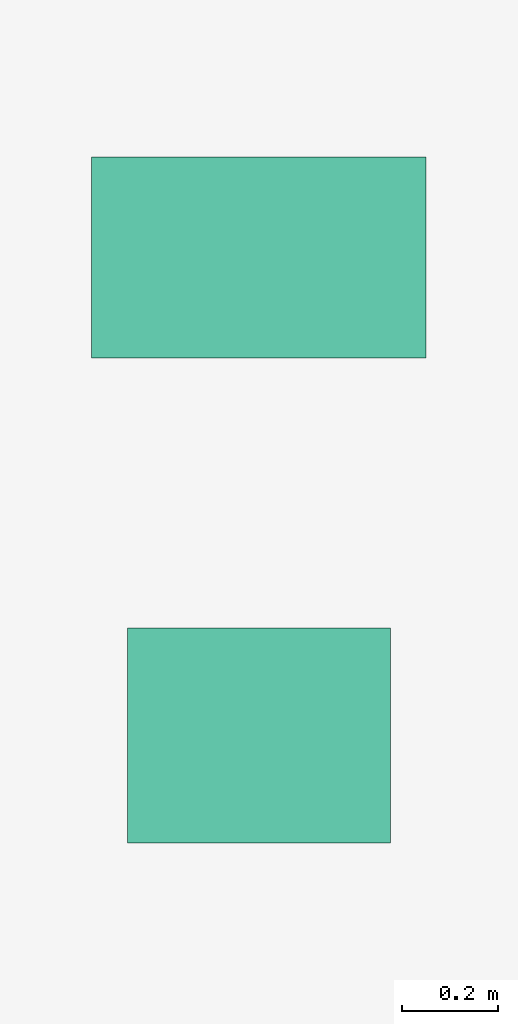
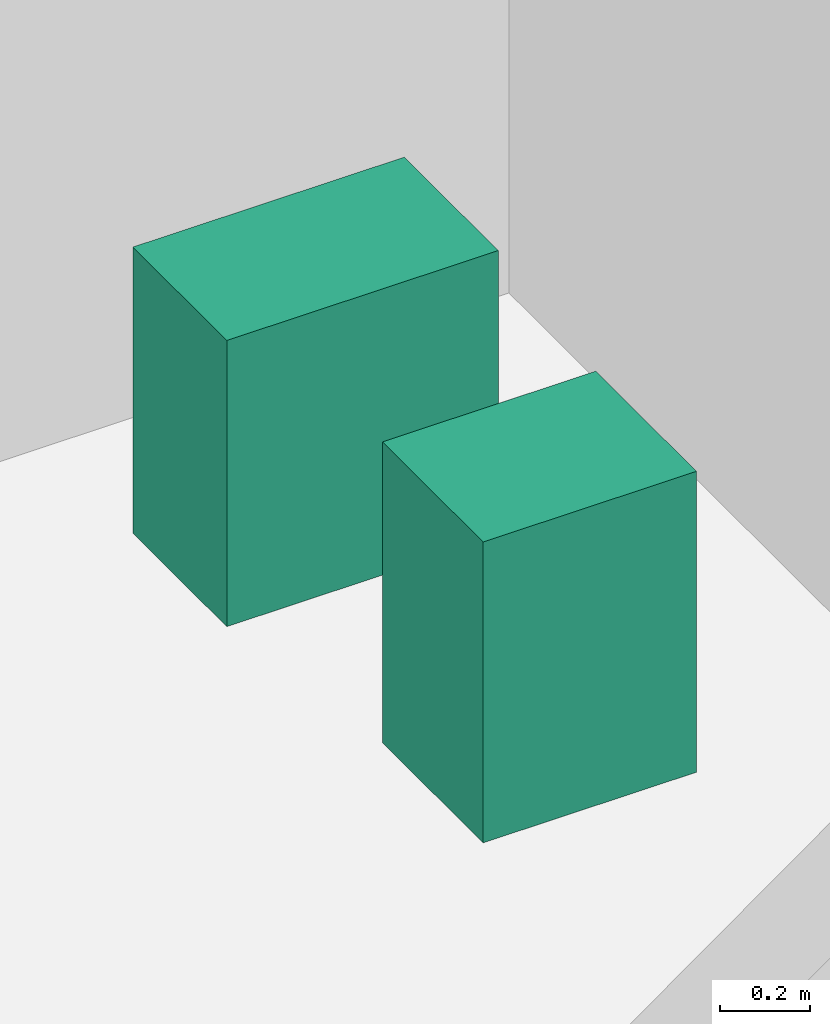
# One storey, part 32 of 32: 2 sanitary terminals.
"""IFC4 building model written with IfcOpenShell, lengths in metres."""

from ifc_helpers import new_model, si_unit, direction, frame, origin, origin_2d, place, context, subcontext, project, spatial, rectangle, extrude, source, transform, mapped, material, type_object, element, save


model = new_model("IFC4")

# Units and contexts
model_context = context("Model", 3, precision=1e-05, world=origin(), true_north=direction((0.0, 1.0)))
body_context = subcontext(model_context, "Body", "Model", "MODEL_VIEW")
ifc_project = project(units=[si_unit("LENGTHUNIT", "METRE"), si_unit("AREAUNIT", "SQUARE_METRE"), si_unit("VOLUMEUNIT", "CUBIC_METRE"), si_unit("PLANEANGLEUNIT", "RADIAN"), si_unit("MASSUNIT", "GRAM", prefix="KILO")], contexts=[model_context])

# Site, building, storey
site_placement = place(None, origin())
site = spatial("IfcSite", under=ifc_project, at=site_placement, CompositionType="ELEMENT")
building_placement = place(site_placement, origin())
building = spatial("IfcBuilding", under=site, at=building_placement, Name="Sumidabori Civic Tower", CompositionType="ELEMENT")
storey_placement = place(building_placement, frame((0.0, 0.0, 52.39990234375)))
storey = spatial("IfcBuildingStorey", under=building, at=storey_placement, Name="L13", CompositionType="ELEMENT", Elevation=52.39990234375)

# Sanitary terminals
ifc_material = material(Name="Vitreous Sanitary Porcelain")
sanitary_terminal_type_1 = type_object("IfcSanitaryTerminalType", Name="SN-WC-1", PredefinedType="TOILETPAN", material=ifc_material)
shared_shape_1 = source(origin(), body_context, "Body", "SweptSolid", [
    extrude(rectangle(XDim=0.699951171875, YDim=0.419921875, at=origin_2d()), origin(), (0.0, 0.0, 1.0), 0.780029296875),
])
sanitary_terminal_1_placement = place(storey_placement, frame((10.800048828125, 21.85009765625, 0.0), z_axis=(0.0, 0.0, 1.0), x_axis=(1.0, 0.0, 0.0)))
element("IfcSanitaryTerminal", 1, at=sanitary_terminal_1_placement, inside=storey, type_object=sanitary_terminal_type_1, Name="Accessible WC Pan L13", PredefinedType="TOILETPAN", context=body_context, shape_type="MappedRepresentation", body=[
    mapped(shared_shape_1, transform((0.0, 0.0, 0.0), x_axis=(1.0, 0.0, 0.0), y_axis=(0.0, 1.0, 0.0), z_axis=(0.0, 0.0, 1.0), scale=1.0)),
])
sanitary_terminal_type_2 = type_object("IfcSanitaryTerminalType", Name="SN-BAS-1", PredefinedType="WASHHANDBASIN", material=ifc_material)
shared_shape_2 = source(origin(), body_context, "Body", "SweptSolid", [
    extrude(rectangle(XDim=0.550048828125, YDim=0.449951171875, at=origin_2d()), origin(), (0.0, 0.0, 1.0), 0.820068359375),
])
sanitary_terminal_2_placement = place(storey_placement, frame((10.800048828125, 20.85009765625, 0.0), z_axis=(0.0, 0.0, 1.0), x_axis=(1.0, 0.0, 0.0)))
element("IfcSanitaryTerminal", 2, at=sanitary_terminal_2_placement, inside=storey, type_object=sanitary_terminal_type_2, Name="Accessible Basin L13", PredefinedType="WASHHANDBASIN", context=body_context, shape_type="MappedRepresentation", body=[
    mapped(shared_shape_2, transform((0.0, 0.0, 0.0), x_axis=(1.0, 0.0, 0.0), y_axis=(0.0, 1.0, 0.0), z_axis=(0.0, 0.0, 1.0), scale=1.0)),
])

save(model, "model.ifc")
